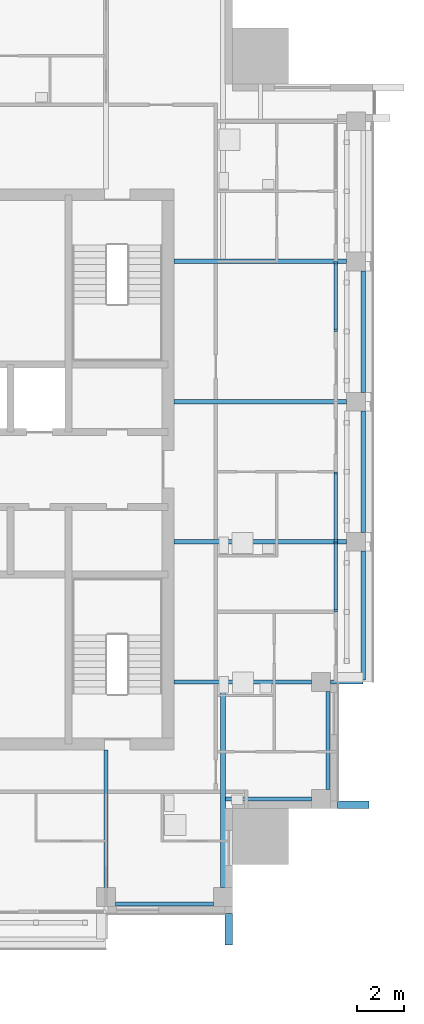
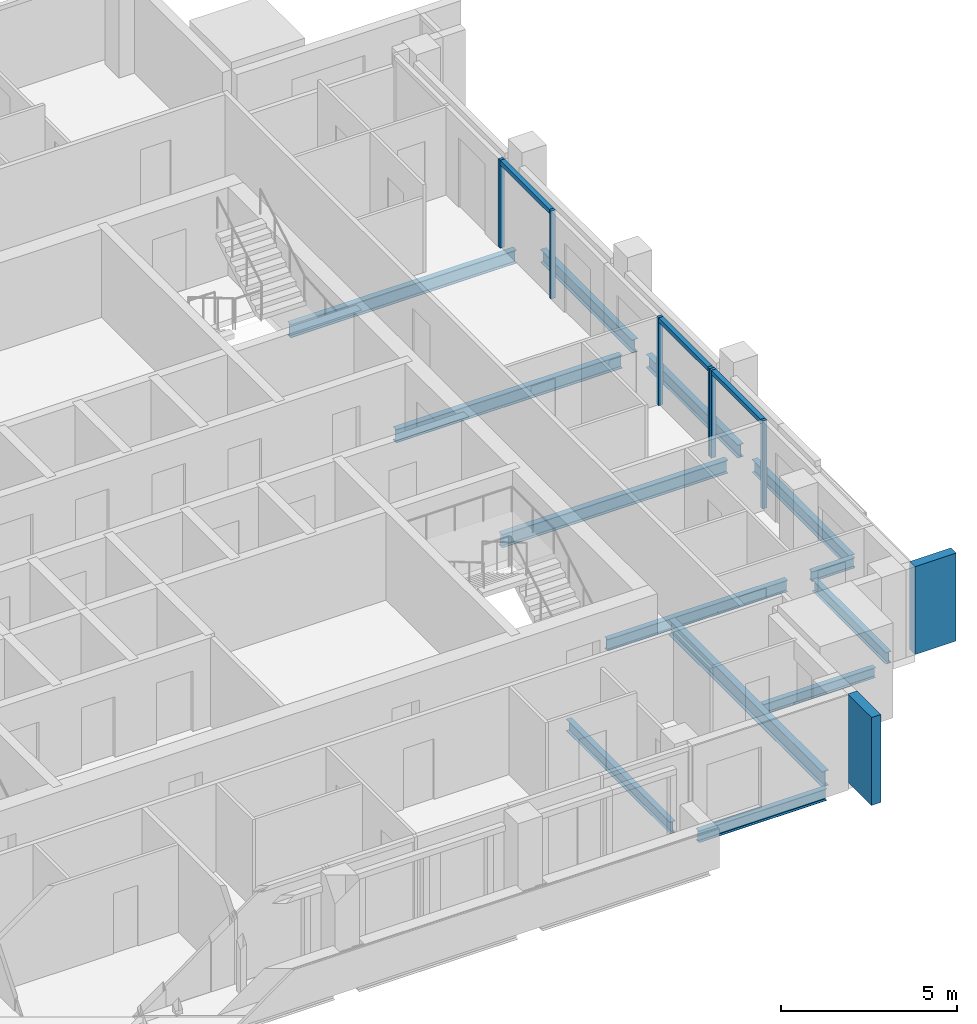
# One storey, part 3 of 15: 13 beams, 11 members, 3 elements without a shape of their own.
"""IFC4 building model written with IfcOpenShell, lengths in metres."""

import ifcopenshell
import ifcopenshell.guid

model = None  # the IFC model being written
_history = None  # IfcOwnerHistory: only IFC2X3 demands one
_inside = {}  # id of a spatial element -> (the spatial element, [elements in it])
_under = {}  # id of a project, library or spatial element -> (it, [spatial elements below it])
_declared = {}  # id of a project -> (the project, [libraries it declares])
_typed = {}  # id of a type object -> (the type object, [elements of that type])
_made_of = {}  # id of a material, layer set ... -> (it, [elements and type objects made of it])


def new_model(schema):
    """Start an empty IFC model of exactly this schema.

    Asked for "IFC4X3", IfcOpenShell would pick the latest addendum, in which some entities
    have other attributes; the version numbers below select the first issue.
    IFC2X3 requires an IfcOwnerHistory on every rooted entity: one is made here for all.
    """
    global model, _history
    if schema == "IFC4X3":
        model = ifcopenshell.file(schema_version=(4, 3, 0, 0))
    else:
        model = ifcopenshell.file(schema=schema)
    _inside.clear()
    _under.clear()
    _declared.clear()
    _typed.clear()
    _made_of.clear()
    _history = None
    if model.schema == "IFC2X3":
        org = make("IfcOrganization", Name="unknown")
        user = make(
            "IfcPersonAndOrganization",
            ThePerson=make("IfcPerson", FamilyName="unknown"),
            TheOrganization=org,
        )
        app = make(
            "IfcApplication",
            ApplicationDeveloper=org,
            Version="unknown",
            ApplicationFullName="unknown",
            ApplicationIdentifier="unknown",
        )
        _history = make(
            "IfcOwnerHistory",
            OwningUser=user,
            OwningApplication=app,
            ChangeAction="ADDED",
            CreationDate=0,
        )
    return model


def make(cls, **values):
    """One entity of the class cls with the attributes given. An attribute that is None is left unset."""
    return model.create_entity(
        cls, **{name: value for name, value in values.items() if value is not None}
    )


def rooted(cls, **values):
    """An entity with a GlobalId (a new one), such as an element, a storey or a relation."""
    return make(cls, GlobalId=ifcopenshell.guid.new(), OwnerHistory=_history, **values)


def si_unit(unit_type, name, prefix=None):
    """IfcSIUnit, for example si_unit("LENGTHUNIT", "METRE", prefix="MILLI")."""
    return make("IfcSIUnit", UnitType=unit_type, Prefix=prefix, Name=name)


def assignment(units):
    """IfcUnitAssignment: the units of a project."""
    return None if units is None else make("IfcUnitAssignment", Units=units)


def point(xyz):
    """IfcCartesianPoint."""
    return None if xyz is None else make("IfcCartesianPoint", Coordinates=xyz)


def direction(xyz):
    """IfcDirection."""
    return None if xyz is None else make("IfcDirection", DirectionRatios=xyz)


def frame(location, z_axis=None, x_axis=None):
    """IfcAxis2Placement3D, a coordinate frame: its origin and axes. An axis left out is left unset."""
    return make(
        "IfcAxis2Placement3D",
        Location=point(location),
        Axis=direction(z_axis),
        RefDirection=direction(x_axis),
    )


def frame_2d(location, x_axis=None):
    """IfcAxis2Placement2D, a coordinate frame in the plane: its origin and x axis."""
    return make(
        "IfcAxis2Placement2D", Location=point(location), RefDirection=direction(x_axis)
    )


def origin():
    """The frame at (0, 0, 0) with its axes left unset."""
    return frame((0.0, 0.0, 0.0))


def origin_2d():
    """The frame at (0, 0) in the plane with its x axis left unset."""
    return frame_2d((0.0, 0.0))


def place(relative_to, where):
    """IfcLocalPlacement: puts the frame where relative to a parent placement (None: the world)."""
    return make(
        "IfcLocalPlacement", PlacementRelTo=relative_to, RelativePlacement=where
    )


def context(
    kind, dimensions, precision=None, world=None, true_north=None, identifier=None
):
    """IfcGeometricRepresentationContext, for example the 3D "Model" context."""
    return make(
        "IfcGeometricRepresentationContext",
        ContextIdentifier=identifier,
        ContextType=kind,
        CoordinateSpaceDimension=dimensions,
        Precision=precision,
        WorldCoordinateSystem=world,
        TrueNorth=true_north,
    )


def subcontext(parent, identifier, kind, view, scale=None):
    """IfcGeometricRepresentationSubContext, for example "Body" below "Model"."""
    return make(
        "IfcGeometricRepresentationSubContext",
        ContextIdentifier=identifier,
        ContextType=kind,
        ParentContext=parent,
        TargetScale=scale,
        TargetView=view,
    )


def project(units=None, contexts=None):
    """IfcProject with its units and contexts."""
    return rooted(
        "IfcProject",
        Name="project",
        RepresentationContexts=contexts,
        UnitsInContext=assignment(units),
    )


def spatial(cls, under=None, at=None, **own):
    """A site, building, storey or space (cls), placed at a placement, below another one or the project."""
    s = rooted(cls, ObjectPlacement=at, **own)
    if under is not None:
        _under.setdefault(under.id(), (under, []))[1].append(s)
    return s


def profile(cls, at=None, kind="AREA", **sizes):
    """A parametric profile (cls). Its sizes go by their IFC names, for example OverallWidth=200.0."""
    return make(cls, ProfileType=kind, Position=at, **sizes)


def rectangle(**sizes):
    """IfcRectangleProfileDef."""
    return profile("IfcRectangleProfileDef", **sizes)


def i_section(**sizes):
    """IfcIShapeProfileDef."""
    return profile("IfcIShapeProfileDef", **sizes)


def extrude(swept, where, along, depth):
    """IfcExtrudedAreaSolid: the profile swept, set in the frame where, extruded along a direction by depth."""
    return make(
        "IfcExtrudedAreaSolid",
        SweptArea=swept,
        Position=where,
        ExtrudedDirection=direction(along),
        Depth=depth,
    )


def shape(context_of_items, identifier, shape_type, items):
    """IfcShapeRepresentation: the items that make up one representation, for example the "Body"."""
    return make(
        "IfcShapeRepresentation",
        ContextOfItems=context_of_items,
        RepresentationIdentifier=identifier,
        RepresentationType=shape_type,
        Items=items,
    )


def material(Name=None, Category=None):
    """IfcMaterial."""
    return make("IfcMaterial", Name=Name, Category=Category)


def material_profile(
    of_material, cross_section, Name=None, Category=None, Priority=None
):
    """IfcMaterialProfile: a cross section and its material."""
    return make(
        "IfcMaterialProfile",
        Name=Name,
        Material=of_material,
        Profile=cross_section,
        Priority=Priority,
        Category=Category,
    )


def profile_set(profiles, Name=None, composite=None):
    """IfcMaterialProfileSet."""
    return make(
        "IfcMaterialProfileSet",
        Name=Name,
        MaterialProfiles=profiles,
        CompositeProfile=composite,
    )


def made_of(thing, what):
    """Note that an element or type object is made of a material, layer set ...; save() writes the relation."""
    if what is not None:
        _made_of.setdefault(what.id(), (what, []))[1].append(thing)
    return thing


def type_object(cls, material=None, **own):
    """A type object (cls), such as IfcWallType, which elements share."""
    return made_of(rooted(cls, **own), material)


def element(
    cls,
    number,
    at=None,
    inside=None,
    cuts=None,
    type_object=None,
    material=None,
    context=None,
    identifier="Body",
    shape_type=None,
    held_by="IfcProductDefinitionShape",
    body=None,
    shapes=None,
    **own,
):
    """One element of the class cls, such as IfcWall. Its Tag is "e" and its number.

    at: its placement. inside: the storey or other place that contains it. cuts: it is an
    opening in that element (IfcRelVoidsElement). A single representation is given by context,
    identifier, shape_type and body (its items); several are given by shapes. held_by: the class
    of the entity that holds the representations. save() writes the other relations.
    """
    e = rooted(cls, Tag="e%d" % number, ObjectPlacement=at, **own)
    if body is not None:
        shapes = [shape(context, identifier, shape_type, body)]
    if shapes is not None:
        e.Representation = make(held_by, Representations=shapes)
    if inside is not None:
        _inside.setdefault(inside.id(), (inside, []))[1].append(e)
    if cuts is not None:
        rooted(
            "IfcRelVoidsElement", RelatingBuildingElement=cuts, RelatedOpeningElement=e
        )
    if type_object is not None:
        _typed.setdefault(type_object.id(), (type_object, []))[1].append(e)
    return made_of(e, material)


def aggregate(whole, parts):
    """IfcRelAggregates: a whole, such as a stair, and the parts it consists of."""
    return rooted("IfcRelAggregates", RelatingObject=whole, RelatedObjects=parts)


def save(model, path):
    """Write the relations noted so far, then the file.

    IfcRelAggregates (storeys below a building ...), IfcRelContainedInSpatialStructure (elements
    in a storey), IfcRelDefinesByType, IfcRelAssociatesMaterial and IfcRelDeclares: one each for
    every whole, place, type object, material and project.
    """
    for whole, parts in _under.values():
        aggregate(whole, parts)
    for where, things in _inside.values():
        rooted(
            "IfcRelContainedInSpatialStructure",
            RelatedElements=things,
            RelatingStructure=where,
        )
    for kind, things in _typed.values():
        rooted("IfcRelDefinesByType", RelatedObjects=things, RelatingType=kind)
    for what, things in _made_of.values():
        rooted("IfcRelAssociatesMaterial", RelatedObjects=things, RelatingMaterial=what)
    for by, libraries in _declared.values():
        rooted("IfcRelDeclares", RelatingContext=by, RelatedDefinitions=libraries)
    model.write(path)


model = new_model("IFC4")

# Units and contexts
model_context = context("Model", 3, precision=1e-05, world=origin(), true_north=direction((0.0, 1.0)))
body_context = subcontext(model_context, "Body", "Model", "MODEL_VIEW")
ifc_project = project(units=[si_unit("LENGTHUNIT", "METRE"), si_unit("AREAUNIT", "SQUARE_METRE"), si_unit("VOLUMEUNIT", "CUBIC_METRE"), si_unit("PLANEANGLEUNIT", "RADIAN"), si_unit("MASSUNIT", "GRAM", prefix="KILO")], contexts=[model_context])

# Site, building, storey
site_placement = place(None, origin())
site = spatial("IfcSite", under=ifc_project, at=site_placement, CompositionType="ELEMENT")
building_placement = place(site_placement, origin())
building = spatial("IfcBuilding", under=site, at=building_placement, Name="Amberfall Residences", CompositionType="ELEMENT")
storey_placement = place(building_placement, frame((0.0, 0.0, 268.60009765625)))
storey = spatial("IfcBuildingStorey", under=building, at=storey_placement, Name="L72", CompositionType="ELEMENT", Elevation=268.60009765625)

# Curtain wall, members
ifc_material_1 = material(Name="Bronze anodised aluminium and glass", Category="aluminium")
curtain_wall_type = type_object("IfcCurtainWallType", Name="Curtain wall CW3 sky garden glazing", PredefinedType="USERDEFINED", material=ifc_material_1)
curtain_wall_1_placement = place(storey_placement, origin())
curtain_wall_1 = element("IfcCurtainWall", 1, at=curtain_wall_1_placement, inside=storey, type_object=curtain_wall_type, Name="Curtain wall L72 E E2", ObjectType="UNITISED CURTAIN WALL", PredefinedType="USERDEFINED")
ifc_material_2 = material(Name="Bronze anodised aluminium", Category="aluminium")
ifc_material_profile_1 = material_profile(ifc_material_2, rectangle(XDim=0.14990234375, YDim=0.10009765625, at=origin_2d()), Name="CW3 mullion 100 x 150 bronze")
ifc_profile_set_1 = profile_set([ifc_material_profile_1], Name="Bronze anodised aluminium")
member_type_1 = type_object("IfcMemberType", Name="CW3 mullion 100 x 150 bronze", PredefinedType="MULLION", material=ifc_profile_set_1)
member_1_placement = place(storey_placement, frame((93.425048828125, 39.449951171875, 0.0), z_axis=(0.0, 0.0, 1.0), x_axis=(-1.0, 0.0, 0.0)))
member_1 = element("IfcMember", 2, at=member_1_placement, type_object=member_type_1, Name="CW3 mullion 1", PredefinedType="MULLION", context=body_context, shape_type="SweptSolid", body=[
    extrude(rectangle(XDim=0.14990234375, YDim=0.10009765625, at=origin_2d()), origin(), (0.0, 0.0, 1.0), 3.0498046875),
])
member_2_placement = place(storey_placement, frame((93.425048828125, 42.35009765625, 0.0), z_axis=(0.0, 0.0, 1.0), x_axis=(-1.0, 0.0, 0.0)))
member_2 = element("IfcMember", 3, at=member_2_placement, type_object=member_type_1, Name="CW3 mullion 2", PredefinedType="MULLION", context=body_context, shape_type="SweptSolid", body=[
    extrude(rectangle(XDim=0.14990234375, YDim=0.10009765625, at=origin_2d()), origin(), (0.0, 0.0, 1.0), 3.0498046875),
])

curtain_wall_2_placement = place(storey_placement, origin())
curtain_wall_2 = element("IfcCurtainWall", 4, at=curtain_wall_2_placement, inside=storey, type_object=curtain_wall_type, Name="Curtain wall L72 E E3", ObjectType="UNITISED CURTAIN WALL", PredefinedType="USERDEFINED")
member_3_placement = place(storey_placement, frame((93.425048828125, 42.449951171875, 0.0), z_axis=(0.0, 0.0, 1.0), x_axis=(-1.0, 0.0, 0.0)))
member_3 = element("IfcMember", 5, at=member_3_placement, type_object=member_type_1, Name="CW3 mullion 1", PredefinedType="MULLION", context=body_context, shape_type="SweptSolid", body=[
    extrude(rectangle(XDim=0.14990234375, YDim=0.10009765625, at=origin_2d()), origin(), (0.0, 0.0, 1.0), 3.0498046875),
])
member_4_placement = place(storey_placement, frame((93.425048828125, 45.35009765625, 0.0), z_axis=(0.0, 0.0, 1.0), x_axis=(-1.0, 0.0, 0.0)))
member_4 = element("IfcMember", 6, at=member_4_placement, type_object=member_type_1, Name="CW3 mullion 2", PredefinedType="MULLION", context=body_context, shape_type="SweptSolid", body=[
    extrude(rectangle(XDim=0.14990234375, YDim=0.10009765625, at=origin_2d()), origin(), (0.0, 0.0, 1.0), 3.0498046875),
])

curtain_wall_3_placement = place(storey_placement, origin())
curtain_wall_3 = element("IfcCurtainWall", 7, at=curtain_wall_3_placement, inside=storey, type_object=curtain_wall_type, Name="Curtain wall L72 E E4", ObjectType="UNITISED CURTAIN WALL", PredefinedType="USERDEFINED")
member_5_placement = place(storey_placement, frame((93.425048828125, 51.449951171875, 0.0), z_axis=(0.0, 0.0, 1.0), x_axis=(-1.0, 0.0, 0.0)))
member_5 = element("IfcMember", 8, at=member_5_placement, type_object=member_type_1, Name="CW3 mullion 1", PredefinedType="MULLION", context=body_context, shape_type="SweptSolid", body=[
    extrude(rectangle(XDim=0.14990234375, YDim=0.10009765625, at=origin_2d()), origin(), (0.0, 0.0, 1.0), 3.0498046875),
])
member_6_placement = place(storey_placement, frame((93.425048828125, 54.35009765625, 0.0), z_axis=(0.0, 0.0, 1.0), x_axis=(-1.0, 0.0, 0.0)))
member_6 = element("IfcMember", 9, at=member_6_placement, type_object=member_type_1, Name="CW3 mullion 2", PredefinedType="MULLION", context=body_context, shape_type="SweptSolid", body=[
    extrude(rectangle(XDim=0.14990234375, YDim=0.10009765625, at=origin_2d()), origin(), (0.0, 0.0, 1.0), 3.0498046875),
])

# Member
ifc_material_profile_2 = material_profile(ifc_material_2, rectangle(XDim=0.14990234375, YDim=0.14990234375, at=origin_2d()), Name="CW3 transom 150 x 150 bronze")
ifc_profile_set_2 = profile_set([ifc_material_profile_2], Name="Bronze anodised aluminium")
member_type_2 = type_object("IfcMemberType", Name="CW3 transom 150 x 150 bronze", PredefinedType="USERDEFINED", material=ifc_profile_set_2)
member_7_placement = place(storey_placement, frame((93.425048828125, 39.5, 2.974853515625), z_axis=(0.0, 1.0, 0.0), x_axis=(-1.0, 0.0, 0.0)))
member_7 = element("IfcMember", 10, at=member_7_placement, type_object=member_type_2, Name="CW3 transom 1.1", ObjectType="TRANSOM", PredefinedType="USERDEFINED", context=body_context, shape_type="SweptSolid", body=[
    extrude(rectangle(XDim=0.14990234375, YDim=0.14990234375, at=origin_2d()), origin(), (0.0, 0.0, 1.0), 2.800048828125),
])

aggregate(curtain_wall_1, [member_1, member_2, member_7])

member_8_placement = place(storey_placement, frame((93.425048828125, 42.5, 2.974853515625), z_axis=(0.0, 1.0, 0.0), x_axis=(-1.0, 0.0, 0.0)))
member_8 = element("IfcMember", 11, at=member_8_placement, type_object=member_type_2, Name="CW3 transom 1.1", ObjectType="TRANSOM", PredefinedType="USERDEFINED", context=body_context, shape_type="SweptSolid", body=[
    extrude(rectangle(XDim=0.14990234375, YDim=0.14990234375, at=origin_2d()), origin(), (0.0, 0.0, 1.0), 2.800048828125),
])

aggregate(curtain_wall_2, [member_3, member_4, member_8])

member_9_placement = place(storey_placement, frame((93.425048828125, 51.5, 2.974853515625), z_axis=(0.0, 1.0, 0.0), x_axis=(-1.0, 0.0, 0.0)))
member_9 = element("IfcMember", 12, at=member_9_placement, type_object=member_type_2, Name="CW3 transom 1.1", ObjectType="TRANSOM", PredefinedType="USERDEFINED", context=body_context, shape_type="SweptSolid", body=[
    extrude(rectangle(XDim=0.14990234375, YDim=0.14990234375, at=origin_2d()), origin(), (0.0, 0.0, 1.0), 2.800048828125),
])

aggregate(curtain_wall_3, [member_5, member_6, member_9])

# Beams
ifc_material_3 = material(Name="Steel S355", Category="steel")
ifc_material_profile_3 = material_profile(ifc_material_3, i_section(OverallWidth=0.171142578125, OverallDepth=0.351318359375, WebThickness=0.007080078125, FlangeThickness=0.009765625, FilletRadius=0.01025390625, at=origin_2d()), Name="UB 356x171x45")
ifc_profile_set_3 = profile_set([ifc_material_profile_3], Name="Steel S355")
beam_type_1 = type_object("IfcBeamType", Name="Cantilever girder UB 356x171x45", PredefinedType="BEAM", material=ifc_profile_set_3)
beam_1_placement = place(storey_placement, frame((93.199951171875, 36.39990234375, -0.42578125), z_axis=(1.0, 0.0, 0.0), x_axis=(0.0, 1.0, 0.0)))
element("IfcBeam", 13, at=beam_1_placement, inside=storey, type_object=beam_type_1, Name="Cantilever girder B8 L72 18", PredefinedType="BEAM", context=body_context, shape_type="SweptSolid", body=[
    extrude(i_section(OverallWidth=0.171142578125, OverallDepth=0.351318359375, WebThickness=0.007080078125, FlangeThickness=0.009765625, FilletRadius=0.01025390625, at=origin_2d()), origin(), (0.0, 0.0, 1.0), 1.400146484375),
])
ifc_material_profile_4 = material_profile(ifc_material_3, i_section(OverallWidth=0.177734375, OverallDepth=0.402587890625, WebThickness=0.0078125, FlangeThickness=0.010986328125, FilletRadius=0.01025390625, at=origin_2d()), Name="UB 406x178x54")
ifc_profile_set_4 = profile_set([ifc_material_profile_4], Name="Steel S355")
beam_type_2 = type_object("IfcBeamType", Name="Edge beam UB 406x178x54", PredefinedType="SPANDREL", material=ifc_profile_set_4)
for number, where, z_axis, x_axis, name in (
    (14, (84.0, 26.89990234375, -0.451416015625), (1.0, 0.0, 0.0), (0.0, 1.0, 0.0), "Edge beam B14 L72 05"),
    (15, (93.10009765625, 31.800048828125, -0.451416015625), (0.0, 1.0, 0.0), (-1.0, 0.0, 0.0), "Edge beam B14 L72 13"),
):
    element("IfcBeam", number, at=place(storey_placement, frame(where, z_axis=z_axis, x_axis=x_axis)), inside=storey, type_object=beam_type_2, Name=name, PredefinedType="SPANDREL", context=body_context, shape_type="SweptSolid", body=[
        extrude(i_section(OverallWidth=0.177734375, OverallDepth=0.402587890625, WebThickness=0.0078125, FlangeThickness=0.010986328125, FilletRadius=0.01025390625, at=origin_2d()), origin(), (0.0, 0.0, 1.0), 4.199951171875),
    ])
ifc_material_profile_5 = material_profile(ifc_material_3, i_section(OverallWidth=0.18994140625, OverallDepth=0.453369140625, WebThickness=0.008544921875, FlangeThickness=0.0126953125, FilletRadius=0.01025390625, at=origin_2d()), Name="UB 457x191x67")
ifc_profile_set_5 = profile_set([ifc_material_profile_5], Name="Steel S355")
beam_type_3 = type_object("IfcBeamType", Name="Edge beam UB 457x191x67", PredefinedType="SPANDREL", material=ifc_profile_set_5)
beam_2_placement = place(storey_placement, frame((94.60009765625, 36.47998046875, -0.476806640625), z_axis=(0.0, 1.0, 0.0), x_axis=(-1.0, 0.0, 0.0)))
element("IfcBeam", 16, at=beam_2_placement, inside=storey, type_object=beam_type_3, Name="Edge beam B1 L72 14", PredefinedType="SPANDREL", context=body_context, shape_type="SweptSolid", body=[
    extrude(i_section(OverallWidth=0.18994140625, OverallDepth=0.453369140625, WebThickness=0.008544921875, FlangeThickness=0.0126953125, FilletRadius=0.01025390625, at=origin_2d()), origin(), (0.0, 0.0, 1.0), 5.52001953125),
])
for number, where, z_axis, x_axis, name in (
    (17, (94.60009765625, 42.800048828125, -0.476806640625), (0.0, 1.0, 0.0), (-1.0, 0.0, 0.0), "Edge beam B1 L72 15"),
    (18, (94.60009765625, 48.800048828125, -0.476806640625), (0.0, 1.0, 0.0), (-1.0, 0.0, 0.0), "Edge beam B1 L72 16"),
):
    element("IfcBeam", number, at=place(storey_placement, frame(where, z_axis=z_axis, x_axis=x_axis)), inside=storey, type_object=beam_type_3, Name=name, PredefinedType="SPANDREL", context=body_context, shape_type="SweptSolid", body=[
        extrude(i_section(OverallWidth=0.18994140625, OverallDepth=0.453369140625, WebThickness=0.008544921875, FlangeThickness=0.0126953125, FilletRadius=0.01025390625, at=origin_2d()), origin(), (0.0, 0.0, 1.0), 5.199951171875),
    ])
ifc_material_profile_6 = material_profile(ifc_material_3, i_section(OverallWidth=0.171142578125, OverallDepth=0.351318359375, WebThickness=0.007080078125, FlangeThickness=0.009765625, FilletRadius=0.01025390625, at=origin_2d()), Name="UB 356x171x45")
ifc_profile_set_6 = profile_set([ifc_material_profile_6], Name="Steel S355")
beam_type_4 = type_object("IfcBeamType", Name="Floor girder UB 356x171x45", PredefinedType="BEAM", material=ifc_profile_set_6)
beam_3_placement = place(storey_placement, frame((92.39990234375, 31.39990234375, -0.42578125), z_axis=(-1.0, 0.0, 0.0), x_axis=(0.0, -1.0, 0.0)))
element("IfcBeam", 19, at=beam_3_placement, inside=storey, type_object=beam_type_4, Name="Floor girder B11 L72 19", PredefinedType="BEAM", context=body_context, shape_type="SweptSolid", body=[
    extrude(i_section(OverallWidth=0.171142578125, OverallDepth=0.351318359375, WebThickness=0.007080078125, FlangeThickness=0.009765625, FilletRadius=0.01025390625, at=origin_2d()), origin(), (0.0, 0.0, 1.0), 3.679931640625),
])
ifc_material_profile_7 = material_profile(ifc_material_3, i_section(OverallWidth=0.177734375, OverallDepth=0.402587890625, WebThickness=0.0078125, FlangeThickness=0.010986328125, FilletRadius=0.01025390625, at=origin_2d()), Name="UB 406x178x54")
ifc_profile_set_7 = profile_set([ifc_material_profile_7], Name="Steel S355")
beam_type_5 = type_object("IfcBeamType", Name="Floor girder UB 406x178x54", PredefinedType="BEAM", material=ifc_profile_set_7)
for number, where, z_axis, x_axis, name in (
    (20, (83.60009765625, 27.60009765625, -0.451416015625), (0.0, 1.0, 0.0), (-1.0, 0.0, 0.0), "Floor girder B4 L72 11"),
    (21, (92.39990234375, 36.39990234375, -0.451416015625), (-1.0, 0.0, 0.0), (0.0, -1.0, 0.0), "Floor girder B4 L72 20"),
):
    element("IfcBeam", number, at=place(storey_placement, frame(where, z_axis=z_axis, x_axis=x_axis)), inside=storey, type_object=beam_type_5, Name=name, PredefinedType="BEAM", context=body_context, shape_type="SweptSolid", body=[
        extrude(i_section(OverallWidth=0.177734375, OverallDepth=0.402587890625, WebThickness=0.0078125, FlangeThickness=0.010986328125, FilletRadius=0.01025390625, at=origin_2d()), origin(), (0.0, 0.0, 1.0), 5.89990234375),
    ])
ifc_material_profile_8 = material_profile(ifc_material_3, i_section(OverallWidth=0.19140625, OverallDepth=0.4599609375, WebThickness=0.010009765625, FlangeThickness=0.01611328125, FilletRadius=0.01025390625, at=origin_2d()), Name="UB 457x191x82")
ifc_profile_set_8 = profile_set([ifc_material_profile_8], Name="Steel S355")
beam_type_6 = type_object("IfcBeamType", Name="Floor girder UB 457x191x82", PredefinedType="BEAM", material=ifc_profile_set_8)
for number, where, z_axis, x_axis, name in (
    (22, (93.89990234375, 42.39990234375, -0.47998046875), (-1.0, 0.0, 0.0), (0.0, -1.0, 0.0), "Floor girder B10 L72 21"),
    (23, (93.89990234375, 48.39990234375, -0.47998046875), (-1.0, 0.0, 0.0), (0.0, -1.0, 0.0), "Floor girder B10 L72 22"),
    (24, (93.89990234375, 54.39990234375, -0.47998046875), (-1.0, 0.0, 0.0), (0.0, -1.0, 0.0), "Floor girder B10 L72 23"),
):
    element("IfcBeam", number, at=place(storey_placement, frame(where, z_axis=z_axis, x_axis=x_axis)), inside=storey, type_object=beam_type_6, Name=name, PredefinedType="BEAM", context=body_context, shape_type="SweptSolid", body=[
        extrude(i_section(OverallWidth=0.19140625, OverallDepth=0.4599609375, WebThickness=0.010009765625, FlangeThickness=0.01611328125, FilletRadius=0.01025390625, at=origin_2d()), origin(), (0.0, 0.0, 1.0), 7.39990234375),
    ])
ifc_material_profile_9 = material_profile(ifc_material_3, i_section(OverallWidth=0.209228515625, OverallDepth=0.533203125, WebThickness=0.010009765625, FlangeThickness=0.015625, FilletRadius=0.0126953125, at=origin_2d()), Name="UB 533x210x92")
ifc_profile_set_9 = profile_set([ifc_material_profile_9], Name="Steel S355")
beam_type_7 = type_object("IfcBeamType", Name="Floor girder UB 533x210x92", PredefinedType="BEAM", material=ifc_profile_set_9)
beam_4_placement = place(storey_placement, frame((88.60009765625, 27.60009765625, -0.5166015625), z_axis=(0.0, 1.0, 0.0), x_axis=(-1.0, 0.0, 0.0)))
element("IfcBeam", 25, at=beam_4_placement, inside=storey, type_object=beam_type_7, Name="Floor girder B3 L72 12", PredefinedType="BEAM", context=body_context, shape_type="SweptSolid", body=[
    extrude(i_section(OverallWidth=0.209228515625, OverallDepth=0.533203125, WebThickness=0.010009765625, FlangeThickness=0.015625, FilletRadius=0.0126953125, at=origin_2d()), origin(), (0.0, 0.0, 1.0), 8.716064453125),
])

# Members
ifc_material_profile_10 = material_profile(ifc_material_2, rectangle(XDim=1.35009765625, YDim=0.300048828125, at=origin_2d()), Name="Stone corner fin 300 x 1350 bronze")
ifc_profile_set_10 = profile_set([ifc_material_profile_10], Name="Bronze anodised aluminium")
member_type_3 = type_object("IfcMemberType", Name="Stone corner fin 300 x 1350 bronze", PredefinedType="MEMBER", material=ifc_profile_set_10)
for number, where, z_axis, x_axis, name in (
    (26, (88.85009765625, 25.824951171875, 0.0), (0.0, 0.0, 1.0), (0.0, 1.0, 0.0), "Corner fin S"),
    (27, (94.175048828125, 31.14990234375, 0.0), (0.0, 0.0, 1.0), (-1.0, 0.0, 0.0), "Corner fin E"),
):
    element("IfcMember", number, at=place(storey_placement, frame(where, z_axis=z_axis, x_axis=x_axis)), inside=storey, type_object=member_type_3, Name=name, PredefinedType="MEMBER", context=body_context, shape_type="SweptSolid", body=[
        extrude(rectangle(XDim=1.35009765625, YDim=0.300048828125, at=origin_2d()), origin(), (0.0, 0.0, 1.0), 3.0498046875),
    ])

save(model, "model.ifc")
